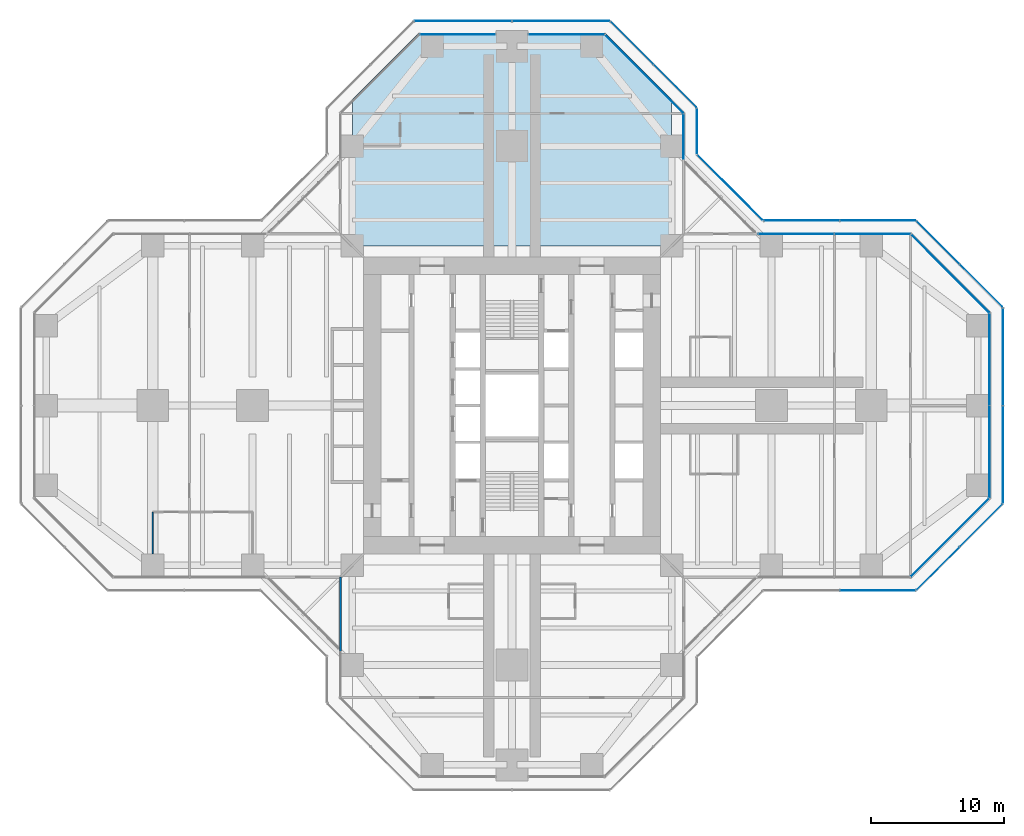
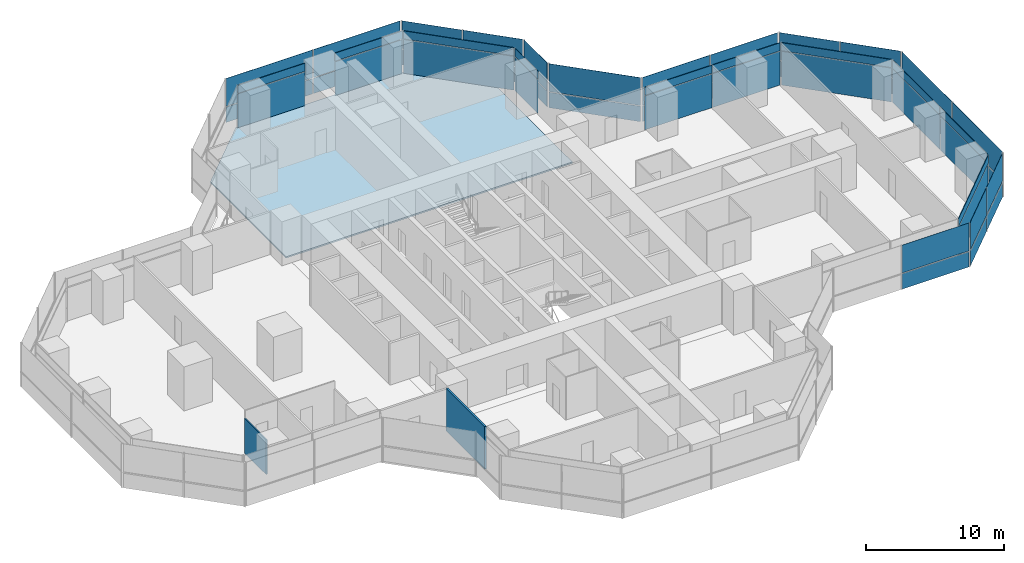
# One storey, part 14 of 20: 50 plates, 2 walls, 1 slab, 17 elements without a shape of their own.
"""IFC4 building model written with IfcOpenShell, lengths in metres."""

from ifc_helpers import new_model, si_unit, direction, frame, frame_2d, origin, origin_2d, place, context, subcontext, project, spatial, polyline, rectangle, outline, extrude, material, layer, layer_set, type_object, element, aggregate, save


model = new_model("IFC4")

# Units and contexts
model_context = context("Model", 3, precision=1e-05, world=origin(), true_north=direction((0.0, 1.0)))
body_context = subcontext(model_context, "Body", "Model", "MODEL_VIEW")
ifc_project = project(units=[si_unit("LENGTHUNIT", "METRE"), si_unit("AREAUNIT", "SQUARE_METRE"), si_unit("VOLUMEUNIT", "CUBIC_METRE"), si_unit("PLANEANGLEUNIT", "RADIAN"), si_unit("MASSUNIT", "GRAM", prefix="KILO")], contexts=[model_context])

# Site, building, storey
site_placement = place(None, origin())
site = spatial("IfcSite", under=ifc_project, at=site_placement, CompositionType="ELEMENT")
building_placement = place(site_placement, origin())
building = spatial("IfcBuilding", under=site, at=building_placement, Name="Mizan Broadcast Tower", CompositionType="ELEMENT")
storey_placement = place(building_placement, frame((0.0, 0.0, 190.5)))
storey = spatial("IfcBuildingStorey", under=building, at=storey_placement, Name="L44", CompositionType="ELEMENT", Elevation=190.5)

# Slab
ifc_material_1 = material(Name="Concrete C32/40", Category="concrete")
ifc_layer_1 = layer(ifc_material_1, 0.1298828125)
ifc_layer_set_1 = layer_set([ifc_layer_1], Name="Concrete C32/40")
slab_type = type_object("IfcSlabType", Name="COMPOSITE DECK SLAB 130", PredefinedType="FLOOR", material=ifc_layer_set_1)
slab_placement = place(storey_placement, frame((0.0, 0.0, -0.1298828125)))
element("IfcSlab", 1, at=slab_placement, inside=storey, type_object=slab_type, Name="Floor slab L44 north arm", PredefinedType="FLOOR", context=body_context, shape_type="SweptSolid", body=[
    extrude(outline(polyline([(-7.0, 28.0), (-12.0, 23.0), (-12.0, 12.0), (12.0, 12.0), (12.0, 23.0), (7.0, 28.0), (-7.0, 28.0)])), origin(), (0.0, 0.0, 1.0), 0.1298828125),
])

# Curtain wall, plate
ifc_material_2 = material(Name="Aluminium framed glazing", Category="aluminium")
curtain_wall_type_1 = type_object("IfcCurtainWallType", Name="INNER SKIN MID ZONE", PredefinedType="USERDEFINED", material=ifc_material_2)
curtain_wall_1_placement = place(storey_placement, origin())
curtain_wall_1 = element("IfcCurtainWall", 2, at=curtain_wall_1_placement, inside=storey, type_object=curtain_wall_type_1, Name="Inner skin mid zone L44 E chamfer", ObjectType="INNER SKIN MID ZONE", PredefinedType="USERDEFINED")
ifc_material_3 = material(Name="Double glazing, clear low-e", Category="glass")
ifc_layer_2 = layer(ifc_material_3, 0.028076171875)
ifc_layer_set_2 = layer_set([ifc_layer_2], Name="Double glazing, clear low-e")
plate_type_1 = type_object("IfcPlateType", Name="INNER SKIN GLAZING UNIT", PredefinedType="CURTAIN_PANEL", material=ifc_layer_set_2)
plate_1_placement = place(storey_placement, frame((32.92919921875, -9.92919921875, 0.0), z_axis=(0.0, 0.0, 1.0), x_axis=(0.707106781187, 0.707106781187, 0.0)))
plate_1 = element("IfcPlate", 3, at=plate_1_placement, type_object=plate_type_1, Name="Inner skin mid zone L44 E chamfer panel 1.1", PredefinedType="CURTAIN_PANEL", context=body_context, shape_type="SweptSolid", body=[
    extrude(rectangle(XDim=8.282470703125, YDim=0.028076171875, at=origin_2d()), origin(), (0.0, 0.0, 1.0), 3.0),
])

# Curtain wall, plates
curtain_wall_2_placement = place(storey_placement, origin())
curtain_wall_2 = element("IfcCurtainWall", 4, at=curtain_wall_2_placement, inside=storey, type_object=curtain_wall_type_1, Name="Inner skin mid zone L44 E end", ObjectType="INNER SKIN MID ZONE", PredefinedType="USERDEFINED")
plate_2_placement = place(storey_placement, frame((35.89990234375, -3.46435546875, 0.0), z_axis=(0.0, 0.0, 1.0), x_axis=(0.0, 1.0, 0.0)))
plate_2 = element("IfcPlate", 5, at=plate_2_placement, type_object=plate_type_1, Name="Inner skin mid zone L44 E end panel 1.1", PredefinedType="CURTAIN_PANEL", context=body_context, shape_type="SweptSolid", body=[
    extrude(rectangle(XDim=6.86865234375, YDim=0.028076171875, at=origin_2d()), origin(), (0.0, 0.0, 1.0), 3.0),
])
plate_3_placement = place(storey_placement, frame((35.89990234375, 3.46435546875, 0.0), z_axis=(0.0, 0.0, 1.0), x_axis=(0.0, 1.0, 0.0)))
plate_3 = element("IfcPlate", 6, at=plate_3_placement, type_object=plate_type_1, Name="Inner skin mid zone L44 E end panel 2.1", PredefinedType="CURTAIN_PANEL", context=body_context, shape_type="SweptSolid", body=[
    extrude(rectangle(XDim=6.86865234375, YDim=0.028076171875, at=origin_2d()), origin(), (0.0, 0.0, 1.0), 3.0),
])

# Curtain wall, plate
curtain_wall_3_placement = place(storey_placement, origin())
curtain_wall_3 = element("IfcCurtainWall", 7, at=curtain_wall_3_placement, inside=storey, type_object=curtain_wall_type_1, Name="Inner skin mid zone L44 E chamfer", ObjectType="INNER SKIN MID ZONE", PredefinedType="USERDEFINED")
plate_4_placement = place(storey_placement, frame((32.92919921875, 9.92919921875, 0.0), z_axis=(0.0, 0.0, 1.0), x_axis=(-0.707106781187, 0.707106781187, 0.0)))
plate_4 = element("IfcPlate", 8, at=plate_4_placement, type_object=plate_type_1, Name="Inner skin mid zone L44 E chamfer panel 1.1", PredefinedType="CURTAIN_PANEL", context=body_context, shape_type="SweptSolid", body=[
    extrude(rectangle(XDim=8.282470703125, YDim=0.028076171875, at=origin_2d()), origin(), (0.0, 0.0, 1.0), 3.0),
])

# Curtain wall, plates
curtain_wall_4_placement = place(storey_placement, origin())
curtain_wall_4 = element("IfcCurtainWall", 9, at=curtain_wall_4_placement, inside=storey, type_object=curtain_wall_type_1, Name="Inner skin mid zone L44 E side", ObjectType="INNER SKIN MID ZONE", PredefinedType="USERDEFINED")
plate_5_placement = place(storey_placement, frame((27.078857421875, 12.89990234375, 0.0), z_axis=(0.0, 0.0, 1.0), x_axis=(-1.0, 0.0, 0.0)))
plate_5 = element("IfcPlate", 10, at=plate_5_placement, type_object=plate_type_1, Name="Inner skin mid zone L44 E side panel 1.1", PredefinedType="CURTAIN_PANEL", context=body_context, shape_type="SweptSolid", body=[
    extrude(rectangle(XDim=5.639404296875, YDim=0.028076171875, at=origin_2d()), origin(), (0.0, 0.0, 1.0), 3.0),
])
plate_6_placement = place(storey_placement, frame((21.379638671875, 12.89990234375, 0.0), z_axis=(0.0, 0.0, 1.0), x_axis=(-1.0, 0.0, 0.0)))
plate_6 = element("IfcPlate", 11, at=plate_6_placement, type_object=plate_type_1, Name="Inner skin mid zone L44 E side panel 2.1", PredefinedType="CURTAIN_PANEL", context=body_context, shape_type="SweptSolid", body=[
    extrude(rectangle(XDim=5.639404296875, YDim=0.028076171875, at=origin_2d()), origin(), (0.0, 0.0, 1.0), 3.0),
])

# Curtain wall, plate
curtain_wall_5_placement = place(storey_placement, origin())
curtain_wall_5 = element("IfcCurtainWall", 12, at=curtain_wall_5_placement, inside=storey, type_object=curtain_wall_type_1, Name="Inner skin mid zone L44 N side", ObjectType="INNER SKIN MID ZONE", PredefinedType="USERDEFINED")
plate_7_placement = place(storey_placement, frame((12.89990234375, 20.229248046875, 0.0), z_axis=(0.0, 0.0, 1.0), x_axis=(0.0, 1.0, 0.0)))
plate_7 = element("IfcPlate", 13, at=plate_7_placement, type_object=plate_type_1, Name="Inner skin mid zone L44 N side panel 1.1", PredefinedType="CURTAIN_PANEL", context=body_context, shape_type="SweptSolid", body=[
    extrude(rectangle(XDim=3.338623046875, YDim=0.028076171875, at=origin_2d()), origin(), (0.0, 0.0, 1.0), 3.0),
])

curtain_wall_6_placement = place(storey_placement, origin())
curtain_wall_6 = element("IfcCurtainWall", 14, at=curtain_wall_6_placement, inside=storey, type_object=curtain_wall_type_1, Name="Inner skin mid zone L44 N chamfer", ObjectType="INNER SKIN MID ZONE", PredefinedType="USERDEFINED")
plate_8_placement = place(storey_placement, frame((9.92919921875, 24.92919921875, 0.0), z_axis=(0.0, 0.0, 1.0), x_axis=(-0.707106781187, 0.707106781187, 0.0)))
plate_8 = element("IfcPlate", 15, at=plate_8_placement, type_object=plate_type_1, Name="Inner skin mid zone L44 N chamfer panel 1.1", PredefinedType="CURTAIN_PANEL", context=body_context, shape_type="SweptSolid", body=[
    extrude(rectangle(XDim=8.282470703125, YDim=0.028076171875, at=origin_2d()), origin(), (0.0, 0.0, 1.0), 3.0),
])

curtain_wall_7_placement = place(storey_placement, origin())
curtain_wall_7 = element("IfcCurtainWall", 16, at=curtain_wall_7_placement, inside=storey, type_object=curtain_wall_type_1, Name="Inner skin mid zone L44 N end", ObjectType="INNER SKIN MID ZONE", PredefinedType="USERDEFINED")
plate_9_placement = place(storey_placement, frame((4.079345703125, 27.89990234375, 0.0), z_axis=(0.0, 0.0, 1.0), x_axis=(-1.0, 0.0, 0.0)))
plate_9 = element("IfcPlate", 17, at=plate_9_placement, type_object=plate_type_1, Name="Inner skin mid zone L44 N end panel 1.1", PredefinedType="CURTAIN_PANEL", context=body_context, shape_type="SweptSolid", body=[
    extrude(rectangle(XDim=5.638671875, YDim=0.028076171875, at=origin_2d()), origin(), (0.0, 0.0, 1.0), 3.0),
])

curtain_wall_8_placement = place(storey_placement, origin())
curtain_wall_8 = element("IfcCurtainWall", 18, at=curtain_wall_8_placement, inside=storey, type_object=curtain_wall_type_1, Name="Inner skin mid zone L44 N end", ObjectType="INNER SKIN MID ZONE", PredefinedType="USERDEFINED")
plate_10_placement = place(storey_placement, frame((-4.079345703125, 27.89990234375, 0.0), z_axis=(0.0, 0.0, 1.0), x_axis=(-1.0, 0.0, 0.0)))
plate_10 = element("IfcPlate", 19, at=plate_10_placement, type_object=plate_type_1, Name="Inner skin mid zone L44 N end panel 1.1", PredefinedType="CURTAIN_PANEL", context=body_context, shape_type="SweptSolid", body=[
    extrude(rectangle(XDim=5.638671875, YDim=0.028076171875, at=origin_2d()), origin(), (0.0, 0.0, 1.0), 3.0),
])

# Plate
ifc_material_4 = material(Name="Insulated aluminium spandrel panel, pale anodised", Category="aluminium")
ifc_layer_3 = layer(ifc_material_4, 0.050048828125)
ifc_layer_set_3 = layer_set([ifc_layer_3], Name="Insulated aluminium spandrel panel, pale anodised")
plate_type_2 = type_object("IfcPlateType", Name="INNER SKIN SPANDREL PANEL", PredefinedType="CURTAIN_PANEL", material=ifc_layer_set_3)
plate_11_placement = place(storey_placement, frame((32.92919921875, -9.92919921875, 3.06005859375), z_axis=(0.0, 0.0, 1.0), x_axis=(0.707106781187, 0.707106781187, 0.0)))
plate_11 = element("IfcPlate", 20, at=plate_11_placement, type_object=plate_type_2, Name="Inner skin mid zone L44 E chamfer panel 1.2", PredefinedType="CURTAIN_PANEL", context=body_context, shape_type="SweptSolid", body=[
    extrude(rectangle(XDim=8.282470703125, YDim=0.050048828125, at=origin_2d()), origin(), (0.0, 0.0, 1.0), 0.7099609375),
])

aggregate(curtain_wall_1, [plate_1, plate_11])

plate_12_placement = place(storey_placement, frame((35.89990234375, -3.46435546875, 3.06005859375), z_axis=(0.0, 0.0, 1.0), x_axis=(0.0, 1.0, 0.0)))
plate_12 = element("IfcPlate", 21, at=plate_12_placement, type_object=plate_type_2, Name="Inner skin mid zone L44 E end panel 1.2", PredefinedType="CURTAIN_PANEL", context=body_context, shape_type="SweptSolid", body=[
    extrude(rectangle(XDim=6.86865234375, YDim=0.050048828125, at=origin_2d()), origin(), (0.0, 0.0, 1.0), 0.7099609375),
])

plate_13_placement = place(storey_placement, frame((35.89990234375, 3.46435546875, 3.06005859375), z_axis=(0.0, 0.0, 1.0), x_axis=(0.0, 1.0, 0.0)))
plate_13 = element("IfcPlate", 22, at=plate_13_placement, type_object=plate_type_2, Name="Inner skin mid zone L44 E end panel 2.2", PredefinedType="CURTAIN_PANEL", context=body_context, shape_type="SweptSolid", body=[
    extrude(rectangle(XDim=6.86865234375, YDim=0.050048828125, at=origin_2d()), origin(), (0.0, 0.0, 1.0), 0.7099609375),
])

aggregate(curtain_wall_2, [plate_2, plate_12, plate_3, plate_13])

plate_14_placement = place(storey_placement, frame((32.92919921875, 9.92919921875, 3.06005859375), z_axis=(0.0, 0.0, 1.0), x_axis=(-0.707106781187, 0.707106781187, 0.0)))
plate_14 = element("IfcPlate", 23, at=plate_14_placement, type_object=plate_type_2, Name="Inner skin mid zone L44 E chamfer panel 1.2", PredefinedType="CURTAIN_PANEL", context=body_context, shape_type="SweptSolid", body=[
    extrude(rectangle(XDim=8.282470703125, YDim=0.050048828125, at=origin_2d()), origin(), (0.0, 0.0, 1.0), 0.7099609375),
])

aggregate(curtain_wall_3, [plate_4, plate_14])

plate_15_placement = place(storey_placement, frame((27.078857421875, 12.89990234375, 3.06005859375), z_axis=(0.0, 0.0, 1.0), x_axis=(-1.0, 0.0, 0.0)))
plate_15 = element("IfcPlate", 24, at=plate_15_placement, type_object=plate_type_2, Name="Inner skin mid zone L44 E side panel 1.2", PredefinedType="CURTAIN_PANEL", context=body_context, shape_type="SweptSolid", body=[
    extrude(rectangle(XDim=5.639404296875, YDim=0.050048828125, at=origin_2d()), origin(), (0.0, 0.0, 1.0), 0.7099609375),
])

plate_16_placement = place(storey_placement, frame((21.379638671875, 12.89990234375, 3.06005859375), z_axis=(0.0, 0.0, 1.0), x_axis=(-1.0, 0.0, 0.0)))
plate_16 = element("IfcPlate", 25, at=plate_16_placement, type_object=plate_type_2, Name="Inner skin mid zone L44 E side panel 2.2", PredefinedType="CURTAIN_PANEL", context=body_context, shape_type="SweptSolid", body=[
    extrude(rectangle(XDim=5.639404296875, YDim=0.050048828125, at=origin_2d()), origin(), (0.0, 0.0, 1.0), 0.7099609375),
])

aggregate(curtain_wall_4, [plate_5, plate_15, plate_6, plate_16])

plate_17_placement = place(storey_placement, frame((12.89990234375, 20.229248046875, 3.06005859375), z_axis=(0.0, 0.0, 1.0), x_axis=(0.0, 1.0, 0.0)))
plate_17 = element("IfcPlate", 26, at=plate_17_placement, type_object=plate_type_2, Name="Inner skin mid zone L44 N side panel 1.2", PredefinedType="CURTAIN_PANEL", context=body_context, shape_type="SweptSolid", body=[
    extrude(rectangle(XDim=3.338623046875, YDim=0.050048828125, at=origin_2d()), origin(), (0.0, 0.0, 1.0), 0.7099609375),
])

aggregate(curtain_wall_5, [plate_7, plate_17])

plate_18_placement = place(storey_placement, frame((9.92919921875, 24.92919921875, 3.06005859375), z_axis=(0.0, 0.0, 1.0), x_axis=(-0.707106781187, 0.707106781187, 0.0)))
plate_18 = element("IfcPlate", 27, at=plate_18_placement, type_object=plate_type_2, Name="Inner skin mid zone L44 N chamfer panel 1.2", PredefinedType="CURTAIN_PANEL", context=body_context, shape_type="SweptSolid", body=[
    extrude(rectangle(XDim=8.282470703125, YDim=0.050048828125, at=origin_2d()), origin(), (0.0, 0.0, 1.0), 0.7099609375),
])

aggregate(curtain_wall_6, [plate_8, plate_18])

plate_19_placement = place(storey_placement, frame((4.079345703125, 27.89990234375, 3.06005859375), z_axis=(0.0, 0.0, 1.0), x_axis=(-1.0, 0.0, 0.0)))
plate_19 = element("IfcPlate", 28, at=plate_19_placement, type_object=plate_type_2, Name="Inner skin mid zone L44 N end panel 1.2", PredefinedType="CURTAIN_PANEL", context=body_context, shape_type="SweptSolid", body=[
    extrude(rectangle(XDim=5.638671875, YDim=0.050048828125, at=origin_2d()), origin(), (0.0, 0.0, 1.0), 0.7099609375),
])

aggregate(curtain_wall_7, [plate_9, plate_19])

plate_20_placement = place(storey_placement, frame((-4.079345703125, 27.89990234375, 3.06005859375), z_axis=(0.0, 0.0, 1.0), x_axis=(-1.0, 0.0, 0.0)))
plate_20 = element("IfcPlate", 29, at=plate_20_placement, type_object=plate_type_2, Name="Inner skin mid zone L44 N end panel 1.2", PredefinedType="CURTAIN_PANEL", context=body_context, shape_type="SweptSolid", body=[
    extrude(rectangle(XDim=5.638671875, YDim=0.050048828125, at=origin_2d()), origin(), (0.0, 0.0, 1.0), 0.7099609375),
])

aggregate(curtain_wall_8, [plate_10, plate_20])

# Curtain wall, plates
ifc_material_5 = material(Name="Aluminium framed glazing", Category="aluminium")
curtain_wall_type_2 = type_object("IfcCurtainWallType", Name="OUTER SKIN", PredefinedType="USERDEFINED", material=ifc_material_5)
curtain_wall_9_placement = place(storey_placement, origin())
curtain_wall_9 = element("IfcCurtainWall", 30, at=curtain_wall_9_placement, inside=storey, type_object=curtain_wall_type_2, Name="Outer skin L44 E chamfer", ObjectType="OUTER SKIN", PredefinedType="USERDEFINED")
ifc_material_6 = material(Name="Laminated clear glass", Category="glass")
ifc_layer_4 = layer(ifc_material_6, 0.02001953125)
ifc_layer_set_4 = layer_set([ifc_layer_4], Name="Laminated clear glass")
plate_type_3 = type_object("IfcPlateType", Name="OUTER SKIN CLEAR GLASS", PredefinedType="CURTAIN_PANEL", material=ifc_layer_set_4)
plate_21_placement = place(storey_placement, frame((32.018798828125, -12.254150390625, 0.0), z_axis=(0.0, 0.0, 1.0), x_axis=(0.707106781187, 0.707106781187, 0.0)))
plate_21 = element("IfcPlate", 31, at=plate_21_placement, type_object=plate_type_3, Name="Outer skin L44 E chamfer panel 1.1", PredefinedType="CURTAIN_PANEL", context=body_context, shape_type="SweptSolid", body=[
    extrude(rectangle(XDim=4.495361328125, YDim=0.02001953125, at=origin_2d()), origin(), (0.0, 0.0, 1.0), 1.3701171875),
])
plate_22_placement = place(storey_placement, frame((32.018798828125, -12.254150390625, 1.43017578125), z_axis=(0.0, 0.0, 1.0), x_axis=(0.707106781187, 0.707106781187, 0.0)))
plate_22 = element("IfcPlate", 32, at=plate_22_placement, type_object=plate_type_3, Name="Outer skin L44 E chamfer panel 1.2", PredefinedType="CURTAIN_PANEL", context=body_context, shape_type="SweptSolid", body=[
    extrude(rectangle(XDim=4.495361328125, YDim=0.02001953125, at=origin_2d()), origin(), (0.0, 0.0, 1.0), 2.469970703125),
])

curtain_wall_10_placement = place(storey_placement, origin())
curtain_wall_10 = element("IfcCurtainWall", 33, at=curtain_wall_10_placement, inside=storey, type_object=curtain_wall_type_2, Name="Outer skin L44 E end", ObjectType="OUTER SKIN", PredefinedType="USERDEFINED")
plate_23_placement = place(storey_placement, frame((36.89990234375, -3.66650390625, 0.0), z_axis=(0.0, 0.0, 1.0), x_axis=(0.0, 1.0, 0.0)))
plate_23 = element("IfcPlate", 34, at=plate_23_placement, type_object=plate_type_3, Name="Outer skin L44 E end panel 1.1", PredefinedType="CURTAIN_PANEL", context=body_context, shape_type="SweptSolid", body=[
    extrude(rectangle(XDim=7.252685546875, YDim=0.02001953125, at=origin_2d()), origin(), (0.0, 0.0, 1.0), 1.3701171875),
])
plate_24_placement = place(storey_placement, frame((36.89990234375, -3.66650390625, 1.43017578125), z_axis=(0.0, 0.0, 1.0), x_axis=(0.0, 1.0, 0.0)))
plate_24 = element("IfcPlate", 35, at=plate_24_placement, type_object=plate_type_3, Name="Outer skin L44 E end panel 1.2", PredefinedType="CURTAIN_PANEL", context=body_context, shape_type="SweptSolid", body=[
    extrude(rectangle(XDim=7.252685546875, YDim=0.02001953125, at=origin_2d()), origin(), (0.0, 0.0, 1.0), 2.469970703125),
])

curtain_wall_11_placement = place(storey_placement, origin())
curtain_wall_11 = element("IfcCurtainWall", 36, at=curtain_wall_11_placement, inside=storey, type_object=curtain_wall_type_2, Name="Outer skin L44 E chamfer", ObjectType="OUTER SKIN", PredefinedType="USERDEFINED")
plate_25_placement = place(storey_placement, frame((35.254150390625, 9.018798828125, 0.0), z_axis=(0.0, 0.0, 1.0), x_axis=(-0.707106781187, 0.707106781187, 0.0)))
plate_25 = element("IfcPlate", 37, at=plate_25_placement, type_object=plate_type_3, Name="Outer skin L44 E chamfer panel 1.1", PredefinedType="CURTAIN_PANEL", context=body_context, shape_type="SweptSolid", body=[
    extrude(rectangle(XDim=4.495361328125, YDim=0.02001953125, at=origin_2d()), origin(), (0.0, 0.0, 1.0), 1.3701171875),
])
plate_26_placement = place(storey_placement, frame((35.254150390625, 9.018798828125, 1.43017578125), z_axis=(0.0, 0.0, 1.0), x_axis=(-0.707106781187, 0.707106781187, 0.0)))
plate_26 = element("IfcPlate", 38, at=plate_26_placement, type_object=plate_type_3, Name="Outer skin L44 E chamfer panel 1.2", PredefinedType="CURTAIN_PANEL", context=body_context, shape_type="SweptSolid", body=[
    extrude(rectangle(XDim=4.495361328125, YDim=0.02001953125, at=origin_2d()), origin(), (0.0, 0.0, 1.0), 2.469970703125),
])

curtain_wall_12_placement = place(storey_placement, origin())
curtain_wall_12 = element("IfcCurtainWall", 39, at=curtain_wall_12_placement, inside=storey, type_object=curtain_wall_type_2, Name="Outer skin L44 E side", ObjectType="OUTER SKIN", PredefinedType="USERDEFINED")
plate_27_placement = place(storey_placement, frame((27.477783203125, 13.89990234375, 0.0), z_axis=(0.0, 0.0, 1.0), x_axis=(-1.0, 0.0, 0.0)))
plate_27 = element("IfcPlate", 40, at=plate_27_placement, type_object=plate_type_3, Name="Outer skin L44 E side panel 1.1", PredefinedType="CURTAIN_PANEL", context=body_context, shape_type="SweptSolid", body=[
    extrude(rectangle(XDim=5.6298828125, YDim=0.02001953125, at=origin_2d()), origin(), (0.0, 0.0, 1.0), 1.3701171875),
])
plate_28_placement = place(storey_placement, frame((27.477783203125, 13.89990234375, 1.43017578125), z_axis=(0.0, 0.0, 1.0), x_axis=(-1.0, 0.0, 0.0)))
plate_28 = element("IfcPlate", 41, at=plate_28_placement, type_object=plate_type_3, Name="Outer skin L44 E side panel 1.2", PredefinedType="CURTAIN_PANEL", context=body_context, shape_type="SweptSolid", body=[
    extrude(rectangle(XDim=5.6298828125, YDim=0.02001953125, at=origin_2d()), origin(), (0.0, 0.0, 1.0), 2.469970703125),
])
plate_29_placement = place(storey_placement, frame((21.767822265625, 13.89990234375, 0.0), z_axis=(0.0, 0.0, 1.0), x_axis=(-1.0, 0.0, 0.0)))
plate_29 = element("IfcPlate", 42, at=plate_29_placement, type_object=plate_type_3, Name="Outer skin L44 E side panel 2.1", PredefinedType="CURTAIN_PANEL", context=body_context, shape_type="SweptSolid", body=[
    extrude(rectangle(XDim=5.6298828125, YDim=0.02001953125, at=origin_2d()), origin(), (0.0, 0.0, 1.0), 1.3701171875),
])
plate_30_placement = place(storey_placement, frame((21.767822265625, 13.89990234375, 1.43017578125), z_axis=(0.0, 0.0, 1.0), x_axis=(-1.0, 0.0, 0.0)))
plate_30 = element("IfcPlate", 43, at=plate_30_placement, type_object=plate_type_3, Name="Outer skin L44 E side panel 2.2", PredefinedType="CURTAIN_PANEL", context=body_context, shape_type="SweptSolid", body=[
    extrude(rectangle(XDim=5.6298828125, YDim=0.02001953125, at=origin_2d()), origin(), (0.0, 0.0, 1.0), 2.469970703125),
])
aggregate(curtain_wall_12, [plate_27, plate_28, plate_29, plate_30])

curtain_wall_13_placement = place(storey_placement, origin())
curtain_wall_13 = element("IfcCurtainWall", 44, at=curtain_wall_13_placement, inside=storey, type_object=curtain_wall_type_2, Name="Outer skin L44 E chamfer", ObjectType="OUTER SKIN", PredefinedType="USERDEFINED")
plate_31_placement = place(storey_placement, frame((16.386474609375, 16.386474609375, 0.0), z_axis=(0.0, 0.0, 1.0), x_axis=(-0.707106781187, 0.707106781187, 0.0)))
plate_31 = element("IfcPlate", 45, at=plate_31_placement, type_object=plate_type_3, Name="Outer skin L44 E chamfer panel 1.1", PredefinedType="CURTAIN_PANEL", context=body_context, shape_type="SweptSolid", body=[
    extrude(rectangle(XDim=6.87255859375, YDim=0.02001953125, at=origin_2d()), origin(), (0.0, 0.0, 1.0), 1.3701171875),
])
plate_32_placement = place(storey_placement, frame((16.386474609375, 16.386474609375, 1.43017578125), z_axis=(0.0, 0.0, 1.0), x_axis=(-0.707106781187, 0.707106781187, 0.0)))
plate_32 = element("IfcPlate", 46, at=plate_32_placement, type_object=plate_type_3, Name="Outer skin L44 E chamfer panel 1.2", PredefinedType="CURTAIN_PANEL", context=body_context, shape_type="SweptSolid", body=[
    extrude(rectangle(XDim=6.87255859375, YDim=0.02001953125, at=origin_2d()), origin(), (0.0, 0.0, 1.0), 2.469970703125),
])
aggregate(curtain_wall_13, [plate_31, plate_32])

curtain_wall_14_placement = place(storey_placement, origin())
curtain_wall_14 = element("IfcCurtainWall", 47, at=curtain_wall_14_placement, inside=storey, type_object=curtain_wall_type_2, Name="Outer skin L44 N side", ObjectType="OUTER SKIN", PredefinedType="USERDEFINED")
plate_33_placement = place(storey_placement, frame((13.89990234375, 20.622802734375, 0.0), z_axis=(0.0, 0.0, 1.0), x_axis=(0.0, 1.0, 0.0)))
plate_33 = element("IfcPlate", 48, at=plate_33_placement, type_object=plate_type_3, Name="Outer skin L44 N side panel 1.1", PredefinedType="CURTAIN_PANEL", context=body_context, shape_type="SweptSolid", body=[
    extrude(rectangle(XDim=3.340087890625, YDim=0.02001953125, at=origin_2d()), origin(), (0.0, 0.0, 1.0), 1.3701171875),
])
plate_34_placement = place(storey_placement, frame((13.89990234375, 20.622802734375, 1.43017578125), z_axis=(0.0, 0.0, 1.0), x_axis=(0.0, 1.0, 0.0)))
plate_34 = element("IfcPlate", 49, at=plate_34_placement, type_object=plate_type_3, Name="Outer skin L44 N side panel 1.2", PredefinedType="CURTAIN_PANEL", context=body_context, shape_type="SweptSolid", body=[
    extrude(rectangle(XDim=3.340087890625, YDim=0.02001953125, at=origin_2d()), origin(), (0.0, 0.0, 1.0), 2.469970703125),
])
aggregate(curtain_wall_14, [plate_33, plate_34])

curtain_wall_15_placement = place(storey_placement, origin())
curtain_wall_15 = element("IfcCurtainWall", 50, at=curtain_wall_15_placement, inside=storey, type_object=curtain_wall_type_2, Name="Outer skin L44 N chamfer", ObjectType="OUTER SKIN", PredefinedType="USERDEFINED")
plate_35_placement = place(storey_placement, frame((12.254150390625, 24.018798828125, 0.0), z_axis=(0.0, 0.0, 1.0), x_axis=(-0.707106781187, 0.707106781187, 0.0)))
plate_35 = element("IfcPlate", 51, at=plate_35_placement, type_object=plate_type_3, Name="Outer skin L44 N chamfer panel 1.1", PredefinedType="CURTAIN_PANEL", context=body_context, shape_type="SweptSolid", body=[
    extrude(rectangle(XDim=4.495361328125, YDim=0.02001953125, at=origin_2d()), origin(), (0.0, 0.0, 1.0), 1.3701171875),
])
plate_36_placement = place(storey_placement, frame((12.254150390625, 24.018798828125, 1.43017578125), z_axis=(0.0, 0.0, 1.0), x_axis=(-0.707106781187, 0.707106781187, 0.0)))
plate_36 = element("IfcPlate", 52, at=plate_36_placement, type_object=plate_type_3, Name="Outer skin L44 N chamfer panel 1.2", PredefinedType="CURTAIN_PANEL", context=body_context, shape_type="SweptSolid", body=[
    extrude(rectangle(XDim=4.495361328125, YDim=0.02001953125, at=origin_2d()), origin(), (0.0, 0.0, 1.0), 2.469970703125),
])

curtain_wall_16_placement = place(storey_placement, origin())
curtain_wall_16 = element("IfcCurtainWall", 53, at=curtain_wall_16_placement, inside=storey, type_object=curtain_wall_type_2, Name="Outer skin L44 N end", ObjectType="OUTER SKIN", PredefinedType="USERDEFINED")
plate_37_placement = place(storey_placement, frame((3.66650390625, 28.89990234375, 0.0), z_axis=(0.0, 0.0, 1.0), x_axis=(-1.0, 0.0, 0.0)))
plate_37 = element("IfcPlate", 54, at=plate_37_placement, type_object=plate_type_3, Name="Outer skin L44 N end panel 1.1", PredefinedType="CURTAIN_PANEL", context=body_context, shape_type="SweptSolid", body=[
    extrude(rectangle(XDim=7.252685546875, YDim=0.02001953125, at=origin_2d()), origin(), (0.0, 0.0, 1.0), 1.3701171875),
])
plate_38_placement = place(storey_placement, frame((3.66650390625, 28.89990234375, 1.43017578125), z_axis=(0.0, 0.0, 1.0), x_axis=(-1.0, 0.0, 0.0)))
plate_38 = element("IfcPlate", 55, at=plate_38_placement, type_object=plate_type_3, Name="Outer skin L44 N end panel 1.2", PredefinedType="CURTAIN_PANEL", context=body_context, shape_type="SweptSolid", body=[
    extrude(rectangle(XDim=7.252685546875, YDim=0.02001953125, at=origin_2d()), origin(), (0.0, 0.0, 1.0), 2.469970703125),
])
plate_39_placement = place(storey_placement, frame((-3.66650390625, 28.89990234375, 0.0), z_axis=(0.0, 0.0, 1.0), x_axis=(-1.0, 0.0, 0.0)))
plate_39 = element("IfcPlate", 56, at=plate_39_placement, type_object=plate_type_3, Name="Outer skin L44 N end panel 2.1", PredefinedType="CURTAIN_PANEL", context=body_context, shape_type="SweptSolid", body=[
    extrude(rectangle(XDim=7.252685546875, YDim=0.02001953125, at=origin_2d()), origin(), (0.0, 0.0, 1.0), 1.3701171875),
])
plate_40_placement = place(storey_placement, frame((-3.66650390625, 28.89990234375, 1.43017578125), z_axis=(0.0, 0.0, 1.0), x_axis=(-1.0, 0.0, 0.0)))
plate_40 = element("IfcPlate", 57, at=plate_40_placement, type_object=plate_type_3, Name="Outer skin L44 N end panel 2.2", PredefinedType="CURTAIN_PANEL", context=body_context, shape_type="SweptSolid", body=[
    extrude(rectangle(XDim=7.252685546875, YDim=0.02001953125, at=origin_2d()), origin(), (0.0, 0.0, 1.0), 2.469970703125),
])
aggregate(curtain_wall_16, [plate_37, plate_38, plate_39, plate_40])

# Plate
ifc_material_7 = material(Name="Perforated aluminium, pale anodised", Category="aluminium")
ifc_layer_5 = layer(ifc_material_7, 0.011962890625)
ifc_layer_set_5 = layer_set([ifc_layer_5], Name="Perforated aluminium, pale anodised")
plate_type_4 = type_object("IfcPlateType", Name="OUTER SKIN PERFORATED SCREEN", PredefinedType="USERDEFINED", material=ifc_layer_set_5)
plate_41_placement = place(storey_placement, frame((35.254150390625, -9.018798828125, 0.0), z_axis=(0.0, 0.0, 1.0), x_axis=(0.707106781187, 0.707106781187, 0.0)))
plate_41 = element("IfcPlate", 58, at=plate_41_placement, type_object=plate_type_4, Name="Outer skin L44 E chamfer panel 2.1", ObjectType="SCREEN", PredefinedType="USERDEFINED", context=body_context, shape_type="SweptSolid", body=[
    extrude(rectangle(XDim=4.495361328125, YDim=0.011962890625, at=origin_2d()), origin(), (0.0, 0.0, 1.0), 1.3701171875),
])

plate_42_placement = place(storey_placement, frame((35.254150390625, -9.018798828125, 1.43017578125), z_axis=(0.0, 0.0, 1.0), x_axis=(0.707106781187, 0.707106781187, 0.0)))
plate_42 = element("IfcPlate", 59, at=plate_42_placement, type_object=plate_type_4, Name="Outer skin L44 E chamfer panel 2.2", ObjectType="SCREEN", PredefinedType="USERDEFINED", context=body_context, shape_type="SweptSolid", body=[
    extrude(rectangle(XDim=4.495361328125, YDim=0.011962890625, at=origin_2d()), origin(), (0.0, 0.0, 1.0), 2.469970703125),
])

aggregate(curtain_wall_9, [plate_21, plate_22, plate_41, plate_42])

plate_43_placement = place(storey_placement, frame((36.89990234375, 3.66650390625, 0.0), z_axis=(0.0, 0.0, 1.0), x_axis=(0.0, 1.0, 0.0)))
plate_43 = element("IfcPlate", 60, at=plate_43_placement, type_object=plate_type_4, Name="Outer skin L44 E end panel 2.1", ObjectType="SCREEN", PredefinedType="USERDEFINED", context=body_context, shape_type="SweptSolid", body=[
    extrude(rectangle(XDim=7.252685546875, YDim=0.011962890625, at=origin_2d()), origin(), (0.0, 0.0, 1.0), 1.3701171875),
])

plate_44_placement = place(storey_placement, frame((36.89990234375, 3.66650390625, 1.43017578125), z_axis=(0.0, 0.0, 1.0), x_axis=(0.0, 1.0, 0.0)))
plate_44 = element("IfcPlate", 61, at=plate_44_placement, type_object=plate_type_4, Name="Outer skin L44 E end panel 2.2", ObjectType="SCREEN", PredefinedType="USERDEFINED", context=body_context, shape_type="SweptSolid", body=[
    extrude(rectangle(XDim=7.252685546875, YDim=0.011962890625, at=origin_2d()), origin(), (0.0, 0.0, 1.0), 2.469970703125),
])

aggregate(curtain_wall_10, [plate_23, plate_24, plate_43, plate_44])

plate_45_placement = place(storey_placement, frame((32.018798828125, 12.254150390625, 0.0), z_axis=(0.0, 0.0, 1.0), x_axis=(-0.707106781187, 0.707106781187, 0.0)))
plate_45 = element("IfcPlate", 62, at=plate_45_placement, type_object=plate_type_4, Name="Outer skin L44 E chamfer panel 2.1", ObjectType="SCREEN", PredefinedType="USERDEFINED", context=body_context, shape_type="SweptSolid", body=[
    extrude(rectangle(XDim=4.495361328125, YDim=0.011962890625, at=origin_2d()), origin(), (0.0, 0.0, 1.0), 1.3701171875),
])

plate_46_placement = place(storey_placement, frame((32.018798828125, 12.254150390625, 1.43017578125), z_axis=(0.0, 0.0, 1.0), x_axis=(-0.707106781187, 0.707106781187, 0.0)))
plate_46 = element("IfcPlate", 63, at=plate_46_placement, type_object=plate_type_4, Name="Outer skin L44 E chamfer panel 2.2", ObjectType="SCREEN", PredefinedType="USERDEFINED", context=body_context, shape_type="SweptSolid", body=[
    extrude(rectangle(XDim=4.495361328125, YDim=0.011962890625, at=origin_2d()), origin(), (0.0, 0.0, 1.0), 2.469970703125),
])

aggregate(curtain_wall_11, [plate_25, plate_26, plate_45, plate_46])

plate_47_placement = place(storey_placement, frame((9.018798828125, 27.254150390625, 0.0), z_axis=(0.0, 0.0, 1.0), x_axis=(-0.707106781187, 0.707106781187, 0.0)))
plate_47 = element("IfcPlate", 64, at=plate_47_placement, type_object=plate_type_4, Name="Outer skin L44 N chamfer panel 2.1", ObjectType="SCREEN", PredefinedType="USERDEFINED", context=body_context, shape_type="SweptSolid", body=[
    extrude(rectangle(XDim=4.495361328125, YDim=0.011962890625, at=origin_2d()), origin(), (0.0, 0.0, 1.0), 1.3701171875),
])

plate_48_placement = place(storey_placement, frame((9.018798828125, 27.254150390625, 1.43017578125), z_axis=(0.0, 0.0, 1.0), x_axis=(-0.707106781187, 0.707106781187, 0.0)))
plate_48 = element("IfcPlate", 65, at=plate_48_placement, type_object=plate_type_4, Name="Outer skin L44 N chamfer panel 2.2", ObjectType="SCREEN", PredefinedType="USERDEFINED", context=body_context, shape_type="SweptSolid", body=[
    extrude(rectangle(XDim=4.495361328125, YDim=0.011962890625, at=origin_2d()), origin(), (0.0, 0.0, 1.0), 2.469970703125),
])

aggregate(curtain_wall_15, [plate_35, plate_36, plate_47, plate_48])

# Curtain wall, plates
curtain_wall_17_placement = place(storey_placement, origin())
curtain_wall_17 = element("IfcCurtainWall", 66, at=curtain_wall_17_placement, inside=storey, type_object=curtain_wall_type_2, Name="Outer skin L44 E side", ObjectType="OUTER SKIN", PredefinedType="USERDEFINED")
plate_49_placement = place(storey_placement, frame((27.477783203125, -13.89990234375, 0.0), z_axis=(0.0, 0.0, 1.0), x_axis=(1.0, 0.0, 0.0)))
plate_49 = element("IfcPlate", 67, at=plate_49_placement, type_object=plate_type_4, Name="Outer skin L44 E side panel 2.1", ObjectType="SCREEN", PredefinedType="USERDEFINED", context=body_context, shape_type="SweptSolid", body=[
    extrude(rectangle(XDim=5.6298828125, YDim=0.011962890625, at=origin_2d()), origin(), (0.0, 0.0, 1.0), 1.3701171875),
])
plate_50_placement = place(storey_placement, frame((27.477783203125, -13.89990234375, 1.43017578125), z_axis=(0.0, 0.0, 1.0), x_axis=(1.0, 0.0, 0.0)))
plate_50 = element("IfcPlate", 68, at=plate_50_placement, type_object=plate_type_4, Name="Outer skin L44 E side panel 2.2", ObjectType="SCREEN", PredefinedType="USERDEFINED", context=body_context, shape_type="SweptSolid", body=[
    extrude(rectangle(XDim=5.6298828125, YDim=0.011962890625, at=origin_2d()), origin(), (0.0, 0.0, 1.0), 2.469970703125),
])
aggregate(curtain_wall_17, [plate_49, plate_50])

# Walls
ifc_material_8 = material(Name="Aluminium framed glazed screen", Category="aluminium")
ifc_layer_6 = layer(ifc_material_8, 0.159912109375)
ifc_layer_set_6 = layer_set([ifc_layer_6], Name="Aluminium framed glazed screen")
wall_type_1 = type_object("IfcWallType", Name="GLAZED SCREEN WALL 160", PredefinedType="SOLIDWALL", material=ifc_layer_set_6)
wall_1_placement = place(storey_placement, frame((-12.89990234375, -12.89990234375, 0.0), z_axis=(0.0, 0.0, 1.0), x_axis=(0.0, -1.0, 0.0)))
element("IfcWall", 69, at=wall_1_placement, inside=storey, type_object=wall_type_1, Name="Winter garden screen L44 S", PredefinedType="SOLIDWALL", context=body_context, shape_type="SweptSolid", body=[
    extrude(rectangle(XDim=5.60009765625, YDim=0.159912109375, at=frame_2d((2.800048828125, 0.0))), origin(), (0.0, 0.0, 1.0), 3.77001953125),
])
ifc_material_9 = material(Name="Glazed aluminium partition on aluminium track", Category="aluminium")
ifc_layer_7 = layer(ifc_material_9, 0.10009765625)
ifc_layer_set_7 = layer_set([ifc_layer_7], Name="Glazed aluminium partition on aluminium track")
wall_type_2 = type_object("IfcWallType", Name="PARTITION GLAZED OFFICE FRONT 100", PredefinedType="PARTITIONING", material=ifc_layer_set_7)
wall_2_placement = place(storey_placement, frame((-27.0, -8.0, 0.0), z_axis=(0.0, 0.0, 1.0), x_axis=(0.0, -1.0, 0.0)))
element("IfcWall", 70, at=wall_2_placement, inside=storey, type_object=wall_type_2, Name="Glazed office front PT/WQP2700", PredefinedType="PARTITIONING", context=body_context, shape_type="SweptSolid", body=[
    extrude(rectangle(XDim=3.14990234375, YDim=0.10009765625, at=frame_2d((1.574951171875, 0.0))), origin(), (0.0, 0.0, 1.0), 3.080078125),
])

save(model, "model.ifc")
